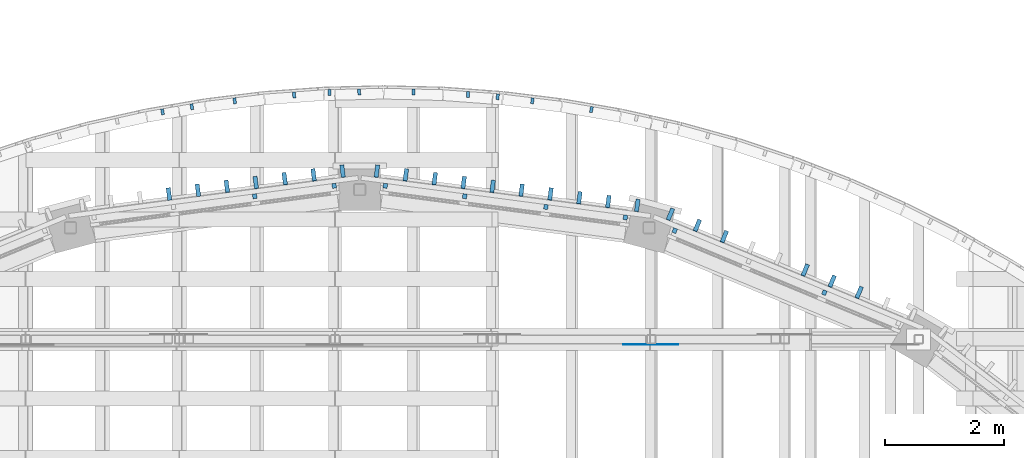
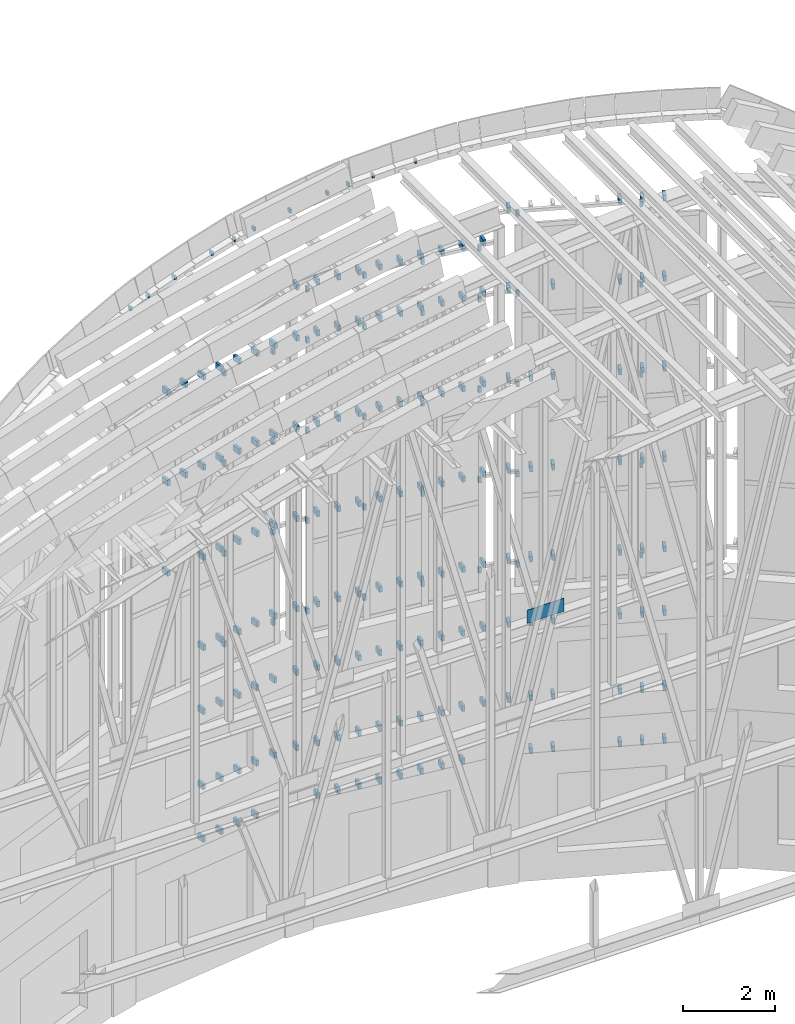
# One storey, part 80 of 105: 211 discrete accessories.
"""IFC4 building model written with IfcOpenShell, lengths in metres."""

import ifcopenshell
import ifcopenshell.guid

model = None  # the IFC model being written
_history = None  # IfcOwnerHistory: only IFC2X3 demands one
_inside = {}  # id of a spatial element -> (the spatial element, [elements in it])
_under = {}  # id of a project, library or spatial element -> (it, [spatial elements below it])
_declared = {}  # id of a project -> (the project, [libraries it declares])
_typed = {}  # id of a type object -> (the type object, [elements of that type])
_made_of = {}  # id of a material, layer set ... -> (it, [elements and type objects made of it])


def new_model(schema):
    """Start an empty IFC model of exactly this schema.

    Asked for "IFC4X3", IfcOpenShell would pick the latest addendum, in which some entities
    have other attributes; the version numbers below select the first issue.
    IFC2X3 requires an IfcOwnerHistory on every rooted entity: one is made here for all.
    """
    global model, _history
    if schema == "IFC4X3":
        model = ifcopenshell.file(schema_version=(4, 3, 0, 0))
    else:
        model = ifcopenshell.file(schema=schema)
    _inside.clear()
    _under.clear()
    _declared.clear()
    _typed.clear()
    _made_of.clear()
    _history = None
    if model.schema == "IFC2X3":
        org = make("IfcOrganization", Name="unknown")
        user = make(
            "IfcPersonAndOrganization",
            ThePerson=make("IfcPerson", FamilyName="unknown"),
            TheOrganization=org,
        )
        app = make(
            "IfcApplication",
            ApplicationDeveloper=org,
            Version="unknown",
            ApplicationFullName="unknown",
            ApplicationIdentifier="unknown",
        )
        _history = make(
            "IfcOwnerHistory",
            OwningUser=user,
            OwningApplication=app,
            ChangeAction="ADDED",
            CreationDate=0,
        )
    return model


def make(cls, **values):
    """One entity of the class cls with the attributes given. An attribute that is None is left unset."""
    return model.create_entity(
        cls, **{name: value for name, value in values.items() if value is not None}
    )


def rooted(cls, **values):
    """An entity with a GlobalId (a new one), such as an element, a storey or a relation."""
    return make(cls, GlobalId=ifcopenshell.guid.new(), OwnerHistory=_history, **values)


def si_unit(unit_type, name, prefix=None):
    """IfcSIUnit, for example si_unit("LENGTHUNIT", "METRE", prefix="MILLI")."""
    return make("IfcSIUnit", UnitType=unit_type, Prefix=prefix, Name=name)


def assignment(units):
    """IfcUnitAssignment: the units of a project."""
    return None if units is None else make("IfcUnitAssignment", Units=units)


def point(xyz):
    """IfcCartesianPoint."""
    return None if xyz is None else make("IfcCartesianPoint", Coordinates=xyz)


def direction(xyz):
    """IfcDirection."""
    return None if xyz is None else make("IfcDirection", DirectionRatios=xyz)


def frame(location, z_axis=None, x_axis=None):
    """IfcAxis2Placement3D, a coordinate frame: its origin and axes. An axis left out is left unset."""
    return make(
        "IfcAxis2Placement3D",
        Location=point(location),
        Axis=direction(z_axis),
        RefDirection=direction(x_axis),
    )


def frame_2d(location, x_axis=None):
    """IfcAxis2Placement2D, a coordinate frame in the plane: its origin and x axis."""
    return make(
        "IfcAxis2Placement2D", Location=point(location), RefDirection=direction(x_axis)
    )


def origin():
    """The frame at (0, 0, 0) with its axes left unset."""
    return frame((0.0, 0.0, 0.0))


def origin_2d():
    """The frame at (0, 0) in the plane with its x axis left unset."""
    return frame_2d((0.0, 0.0))


def place(relative_to, where):
    """IfcLocalPlacement: puts the frame where relative to a parent placement (None: the world)."""
    return make(
        "IfcLocalPlacement", PlacementRelTo=relative_to, RelativePlacement=where
    )


def context(
    kind, dimensions, precision=None, world=None, true_north=None, identifier=None
):
    """IfcGeometricRepresentationContext, for example the 3D "Model" context."""
    return make(
        "IfcGeometricRepresentationContext",
        ContextIdentifier=identifier,
        ContextType=kind,
        CoordinateSpaceDimension=dimensions,
        Precision=precision,
        WorldCoordinateSystem=world,
        TrueNorth=true_north,
    )


def subcontext(parent, identifier, kind, view, scale=None):
    """IfcGeometricRepresentationSubContext, for example "Body" below "Model"."""
    return make(
        "IfcGeometricRepresentationSubContext",
        ContextIdentifier=identifier,
        ContextType=kind,
        ParentContext=parent,
        TargetScale=scale,
        TargetView=view,
    )


def project(units=None, contexts=None):
    """IfcProject with its units and contexts."""
    return rooted(
        "IfcProject",
        Name="project",
        RepresentationContexts=contexts,
        UnitsInContext=assignment(units),
    )


def spatial(cls, under=None, at=None, **own):
    """A site, building, storey or space (cls), placed at a placement, below another one or the project."""
    s = rooted(cls, ObjectPlacement=at, **own)
    if under is not None:
        _under.setdefault(under.id(), (under, []))[1].append(s)
    return s


def polyline(points):
    """IfcPolyline through the points."""
    return make("IfcPolyline", Points=[point(p) for p in points])


def profile(cls, at=None, kind="AREA", **sizes):
    """A parametric profile (cls). Its sizes go by their IFC names, for example OverallWidth=200.0."""
    return make(cls, ProfileType=kind, Position=at, **sizes)


def rectangle(**sizes):
    """IfcRectangleProfileDef."""
    return profile("IfcRectangleProfileDef", **sizes)


def outline(outer, holes=None, kind="AREA"):
    """IfcArbitraryClosedProfileDef: a profile drawn as a closed curve; with holes, ...WithVoids."""
    if holes is None:
        return make("IfcArbitraryClosedProfileDef", ProfileType=kind, OuterCurve=outer)
    return make(
        "IfcArbitraryProfileDefWithVoids",
        ProfileType=kind,
        OuterCurve=outer,
        InnerCurves=holes,
    )


def extrude(swept, where, along, depth):
    """IfcExtrudedAreaSolid: the profile swept, set in the frame where, extruded along a direction by depth."""
    return make(
        "IfcExtrudedAreaSolid",
        SweptArea=swept,
        Position=where,
        ExtrudedDirection=direction(along),
        Depth=depth,
    )


def shape(context_of_items, identifier, shape_type, items):
    """IfcShapeRepresentation: the items that make up one representation, for example the "Body"."""
    return make(
        "IfcShapeRepresentation",
        ContextOfItems=context_of_items,
        RepresentationIdentifier=identifier,
        RepresentationType=shape_type,
        Items=items,
    )


def material(Name=None, Category=None):
    """IfcMaterial."""
    return make("IfcMaterial", Name=Name, Category=Category)


def made_of(thing, what):
    """Note that an element or type object is made of a material, layer set ...; save() writes the relation."""
    if what is not None:
        _made_of.setdefault(what.id(), (what, []))[1].append(thing)
    return thing


def type_object(cls, material=None, **own):
    """A type object (cls), such as IfcWallType, which elements share."""
    return made_of(rooted(cls, **own), material)


def element(
    cls,
    number,
    at=None,
    inside=None,
    cuts=None,
    type_object=None,
    material=None,
    context=None,
    identifier="Body",
    shape_type=None,
    held_by="IfcProductDefinitionShape",
    body=None,
    shapes=None,
    **own,
):
    """One element of the class cls, such as IfcWall. Its Tag is "e" and its number.

    at: its placement. inside: the storey or other place that contains it. cuts: it is an
    opening in that element (IfcRelVoidsElement). A single representation is given by context,
    identifier, shape_type and body (its items); several are given by shapes. held_by: the class
    of the entity that holds the representations. save() writes the other relations.
    """
    e = rooted(cls, Tag="e%d" % number, ObjectPlacement=at, **own)
    if body is not None:
        shapes = [shape(context, identifier, shape_type, body)]
    if shapes is not None:
        e.Representation = make(held_by, Representations=shapes)
    if inside is not None:
        _inside.setdefault(inside.id(), (inside, []))[1].append(e)
    if cuts is not None:
        rooted(
            "IfcRelVoidsElement", RelatingBuildingElement=cuts, RelatedOpeningElement=e
        )
    if type_object is not None:
        _typed.setdefault(type_object.id(), (type_object, []))[1].append(e)
    return made_of(e, material)


def aggregate(whole, parts):
    """IfcRelAggregates: a whole, such as a stair, and the parts it consists of."""
    return rooted("IfcRelAggregates", RelatingObject=whole, RelatedObjects=parts)


def save(model, path):
    """Write the relations noted so far, then the file.

    IfcRelAggregates (storeys below a building ...), IfcRelContainedInSpatialStructure (elements
    in a storey), IfcRelDefinesByType, IfcRelAssociatesMaterial and IfcRelDeclares: one each for
    every whole, place, type object, material and project.
    """
    for whole, parts in _under.values():
        aggregate(whole, parts)
    for where, things in _inside.values():
        rooted(
            "IfcRelContainedInSpatialStructure",
            RelatedElements=things,
            RelatingStructure=where,
        )
    for kind, things in _typed.values():
        rooted("IfcRelDefinesByType", RelatedObjects=things, RelatingType=kind)
    for what, things in _made_of.values():
        rooted("IfcRelAssociatesMaterial", RelatedObjects=things, RelatingMaterial=what)
    for by, libraries in _declared.values():
        rooted("IfcRelDeclares", RelatingContext=by, RelatedDefinitions=libraries)
    model.write(path)


model = new_model("IFC4")

# Units and contexts
model_context = context("Model", 3, precision=1e-05, world=origin(), true_north=direction((0.0, 1.0)))
body_context = subcontext(model_context, "Body", "Model", "MODEL_VIEW")
ifc_project = project(units=[si_unit("LENGTHUNIT", "METRE"), si_unit("AREAUNIT", "SQUARE_METRE"), si_unit("VOLUMEUNIT", "CUBIC_METRE"), si_unit("PLANEANGLEUNIT", "RADIAN"), si_unit("MASSUNIT", "GRAM", prefix="KILO")], contexts=[model_context])

# Site, building, storey
site_placement = place(None, origin())
site = spatial("IfcSite", under=ifc_project, at=site_placement, CompositionType="ELEMENT")
building_placement = place(site_placement, origin())
building = spatial("IfcBuilding", under=site, at=building_placement, Name="Wasatch Bagh Community Centre", CompositionType="ELEMENT")
storey_placement = place(building_placement, frame((0.0, 0.0, 16.800048828125)))
storey = spatial("IfcBuildingStorey", under=building, at=storey_placement, Name="L04", CompositionType="ELEMENT", Elevation=16.800048828125)

# Discrete accessories
ifc_material = material(Name="ASTM A36 steel", Category="steel")
discrete_accessory_type_1 = type_object("IfcDiscreteAccessoryType", Name="MH fascia bracket", PredefinedType="BRACKET", material=ifc_material)
for number, where, z_axis, x_axis, name in (
    (1, (32.692626953125, 85.055419921875, 16.745849609375), (0.0, 0.0, 1.0), (-0.17096188876, 0.985277642389, 0.0), "Fascia bracket 118"),
    (2, (33.1845703125, 85.140625, 16.870849609375), (0.0, 0.0, 1.0), (-0.17096188876, 0.985277642389, 0.0), "Fascia bracket 119"),
    (3, (33.903564453125, 85.240478515625, 17.04052734375), (0.0, 0.0, 1.0), (-0.122410675199, 0.992479534599, 0.0), "Fascia bracket 120"),
    (4, (34.899658203125, 85.338623046875, 17.275634765625), (0.0, 0.0, 1.0), (-0.0735645636, 0.997290456679, 0.0), "Fascia bracket 121"),
    (5, (35.4921875, 85.377685546875, 17.415283203125), (0.0, 0.0, 1.0), (-0.024541228523, 0.999698818696, 0.0), "Fascia bracket 122"),
    (6, (35.991455078125, 85.389892578125, 17.50634765625), (0.0, 0.0, 1.0), (-0.024541228523, 0.999698818696, 0.0), "Fascia bracket 123"),
    (7, (36.900390625, 85.3876953125, 17.672119140625), (0.0, 0.0, 1.0), (0.024541228523, 0.999698818696, 0.0), "Fascia bracket 124"),
    (8, (37.816162109375, 85.3447265625, 17.8388671875), (0.0, 0.0, 1.0), (0.0735645636, 0.997290456679, 0.0), "Fascia bracket 125"),
    (9, (38.314208984375, 85.30810546875, 17.921875), (0.0, 0.0, 1.0), (0.0735645636, 0.997290456679, 0.0), "Fascia bracket 126"),
    (10, (38.896484375, 85.240478515625, 17.9970703125), (0.0, 0.0, 1.0), (0.122410675199, 0.992479534599, 0.0), "Fascia bracket 127"),
    (11, (39.886474609375, 85.093505859375, 18.125244140625), (0.0, 0.0, 1.0), (0.17096188876, 0.985277642389, 0.0), "Fascia bracket 128"),
):
    element("IfcDiscreteAccessory", number, at=place(storey_placement, frame(where, z_axis=z_axis, x_axis=x_axis)), inside=storey, type_object=discrete_accessory_type_1, Name=name, PredefinedType="BRACKET", context=body_context, shape_type="SweptSolid", body=[
        extrude(rectangle(XDim=0.10009765625, YDim=0.050048828125, at=origin_2d()), origin(), (0.0, 0.0, 1.0), 0.10009765625),
    ])
discrete_accessory_type_2 = type_object("IfcDiscreteAccessoryType", Name="MH fin bracket", PredefinedType="BRACKET", material=ifc_material)
for number, where, z_axis, x_axis, name in (
    (12, (44.37841796875, 82.029541015625, 3.02490234375), (0.0, 0.0, 1.0), (-0.923879532511, 0.382683432365, 0.0), "Fin bracket 23.3.4"),
    (13, (44.37841796875, 82.029541015625, 4.425048828125), (0.0, 0.0, 1.0), (-0.923879532511, 0.382683432365, 0.0), "Fin bracket 23.3.5"),
    (14, (44.37841796875, 82.029541015625, 6.425048828125), (0.0, 0.0, 1.0), (-0.923879532511, 0.382683432365, 0.0), "Fin bracket 23.3.6"),
    (15, (43.92626953125, 82.217041015625, 3.02490234375), (0.0, 0.0, 1.0), (-0.923879532511, 0.382683432365, 0.0), "Fin bracket 23.4.4"),
    (16, (43.92626953125, 82.217041015625, 4.425048828125), (0.0, 0.0, 1.0), (-0.923879532511, 0.382683432365, 0.0), "Fin bracket 23.4.5"),
    (17, (43.92626953125, 82.217041015625, 6.425048828125), (0.0, 0.0, 1.0), (-0.923879532511, 0.382683432365, 0.0), "Fin bracket 23.4.6"),
    (18, (43.473876953125, 82.404296875, 3.02490234375), (0.0, 0.0, 1.0), (-0.923879532511, 0.382683432365, 0.0), "Fin bracket 23.5.4"),
    (19, (43.473876953125, 82.404296875, 4.425048828125), (0.0, 0.0, 1.0), (-0.923879532511, 0.382683432365, 0.0), "Fin bracket 23.5.5"),
    (20, (43.473876953125, 82.404296875, 6.425048828125), (0.0, 0.0, 1.0), (-0.923879532511, 0.382683432365, 0.0), "Fin bracket 23.5.6"),
    (21, (42.117431640625, 82.966064453125, 3.02490234375), (0.0, 0.0, 1.0), (-0.923879532511, 0.382683432365, 0.0), "Fin bracket 23.8.4"),
    (22, (42.117431640625, 82.966064453125, 4.425048828125), (0.0, 0.0, 1.0), (-0.923879532511, 0.382683432365, 0.0), "Fin bracket 23.8.5"),
    (23, (42.117431640625, 82.966064453125, 6.425048828125), (0.0, 0.0, 1.0), (-0.923879532511, 0.382683432365, 0.0), "Fin bracket 23.8.6"),
    (24, (41.6650390625, 83.153564453125, 3.02490234375), (0.0, 0.0, 1.0), (-0.923879532511, 0.382683432365, 0.0), "Fin bracket 23.9.4"),
    (25, (41.6650390625, 83.153564453125, 4.425048828125), (0.0, 0.0, 1.0), (-0.923879532511, 0.382683432365, 0.0), "Fin bracket 23.9.5"),
    (26, (41.6650390625, 83.153564453125, 6.425048828125), (0.0, 0.0, 1.0), (-0.923879532511, 0.382683432365, 0.0), "Fin bracket 23.9.6"),
    (27, (41.212890625, 83.3408203125, 4.425048828125), (0.0, 0.0, 1.0), (-0.923879532511, 0.382683432365, 0.0), "Fin bracket 23.10.5"),
    (28, (41.212890625, 83.3408203125, 6.425048828125), (0.0, 0.0, 1.0), (-0.923879532511, 0.382683432365, 0.0), "Fin bracket 23.10.6"),
    (29, (40.656005859375, 83.489990234375, 4.425048828125), (0.0, 0.0, 1.0), (-0.991444861374, 0.13052619222, 0.0), "Fin bracket 24.1.5"),
    (30, (40.656005859375, 83.489990234375, 6.425048828125), (0.0, 0.0, 1.0), (-0.991444861374, 0.13052619222, 0.0), "Fin bracket 24.1.6"),
    (31, (40.170654296875, 83.553955078125, 3.02490234375), (0.0, 0.0, 1.0), (-0.991444861374, 0.13052619222, 0.0), "Fin bracket 24.2.4"),
    (32, (40.170654296875, 83.553955078125, 4.425048828125), (0.0, 0.0, 1.0), (-0.991444861374, 0.13052619222, 0.0), "Fin bracket 24.2.5"),
    (33, (40.170654296875, 83.553955078125, 6.425048828125), (0.0, 0.0, 1.0), (-0.991444861374, 0.13052619222, 0.0), "Fin bracket 24.2.6"),
    (34, (39.685302734375, 83.617919921875, 3.02490234375), (0.0, 0.0, 1.0), (-0.991444861374, 0.13052619222, 0.0), "Fin bracket 24.3.4"),
    (35, (39.685302734375, 83.617919921875, 4.425048828125), (0.0, 0.0, 1.0), (-0.991444861374, 0.13052619222, 0.0), "Fin bracket 24.3.5"),
    (36, (39.685302734375, 83.617919921875, 6.425048828125), (0.0, 0.0, 1.0), (-0.991444861374, 0.13052619222, 0.0), "Fin bracket 24.3.6"),
    (37, (39.199951171875, 83.681640625, 3.02490234375), (0.0, 0.0, 1.0), (-0.991444861374, 0.13052619222, 0.0), "Fin bracket 24.4.4"),
    (38, (39.199951171875, 83.681640625, 4.425048828125), (0.0, 0.0, 1.0), (-0.991444861374, 0.13052619222, 0.0), "Fin bracket 24.4.5"),
    (39, (39.199951171875, 83.681640625, 6.425048828125), (0.0, 0.0, 1.0), (-0.991444861374, 0.13052619222, 0.0), "Fin bracket 24.4.6"),
    (40, (38.71484375, 83.74560546875, 3.02490234375), (0.0, 0.0, 1.0), (-0.991444861374, 0.13052619222, 0.0), "Fin bracket 24.5.4"),
    (41, (38.71484375, 83.74560546875, 4.425048828125), (0.0, 0.0, 1.0), (-0.991444861374, 0.13052619222, 0.0), "Fin bracket 24.5.5"),
    (42, (38.71484375, 83.74560546875, 6.425048828125), (0.0, 0.0, 1.0), (-0.991444861374, 0.13052619222, 0.0), "Fin bracket 24.5.6"),
    (43, (38.2294921875, 83.8095703125, 3.02490234375), (0.0, 0.0, 1.0), (-0.991444861374, 0.13052619222, 0.0), "Fin bracket 24.6.4"),
    (44, (38.2294921875, 83.8095703125, 4.425048828125), (0.0, 0.0, 1.0), (-0.991444861374, 0.13052619222, 0.0), "Fin bracket 24.6.5"),
    (45, (38.2294921875, 83.8095703125, 6.425048828125), (0.0, 0.0, 1.0), (-0.991444861374, 0.13052619222, 0.0), "Fin bracket 24.6.6"),
    (46, (37.744140625, 83.873291015625, 3.02490234375), (0.0, 0.0, 1.0), (-0.991444861374, 0.13052619222, 0.0), "Fin bracket 24.7.4"),
    (47, (37.744140625, 83.873291015625, 4.425048828125), (0.0, 0.0, 1.0), (-0.991444861374, 0.13052619222, 0.0), "Fin bracket 24.7.5"),
    (48, (37.744140625, 83.873291015625, 6.425048828125), (0.0, 0.0, 1.0), (-0.991444861374, 0.13052619222, 0.0), "Fin bracket 24.7.6"),
    (49, (37.2587890625, 83.937255859375, 3.02490234375), (0.0, 0.0, 1.0), (-0.991444861374, 0.13052619222, 0.0), "Fin bracket 24.8.4"),
    (50, (37.2587890625, 83.937255859375, 4.425048828125), (0.0, 0.0, 1.0), (-0.991444861374, 0.13052619222, 0.0), "Fin bracket 24.8.5"),
    (51, (37.2587890625, 83.937255859375, 6.425048828125), (0.0, 0.0, 1.0), (-0.991444861374, 0.13052619222, 0.0), "Fin bracket 24.8.6"),
    (52, (36.773681640625, 84.001220703125, 3.02490234375), (0.0, 0.0, 1.0), (-0.991444861374, 0.13052619222, 0.0), "Fin bracket 24.9.4"),
    (53, (36.773681640625, 84.001220703125, 4.425048828125), (0.0, 0.0, 1.0), (-0.991444861374, 0.13052619222, 0.0), "Fin bracket 24.9.5"),
    (54, (36.773681640625, 84.001220703125, 6.425048828125), (0.0, 0.0, 1.0), (-0.991444861374, 0.13052619222, 0.0), "Fin bracket 24.9.6"),
    (55, (36.288330078125, 84.06494140625, 4.425048828125), (0.0, 0.0, 1.0), (-0.991444861374, 0.13052619222, 0.0), "Fin bracket 24.10.5"),
    (56, (36.288330078125, 84.06494140625, 6.425048828125), (0.0, 0.0, 1.0), (-0.991444861374, 0.13052619222, 0.0), "Fin bracket 24.10.6"),
    (57, (35.711669921875, 84.06494140625, 4.425048828125), (0.0, 0.0, 1.0), (-0.991444861374, -0.13052619222, 0.0), "Fin bracket 25.1.5"),
    (58, (35.711669921875, 84.06494140625, 6.425048828125), (0.0, 0.0, 1.0), (-0.991444861374, -0.13052619222, 0.0), "Fin bracket 25.1.6"),
    (59, (35.226318359375, 84.001220703125, 3.02490234375), (0.0, 0.0, 1.0), (-0.991444861374, -0.13052619222, 0.0), "Fin bracket 25.2.4"),
    (60, (35.226318359375, 84.001220703125, 4.425048828125), (0.0, 0.0, 1.0), (-0.991444861374, -0.13052619222, 0.0), "Fin bracket 25.2.5"),
    (61, (35.226318359375, 84.001220703125, 6.425048828125), (0.0, 0.0, 1.0), (-0.991444861374, -0.13052619222, 0.0), "Fin bracket 25.2.6"),
    (62, (34.7412109375, 83.937255859375, 3.02490234375), (0.0, 0.0, 1.0), (-0.991444861374, -0.13052619222, 0.0), "Fin bracket 25.3.4"),
    (63, (34.7412109375, 83.937255859375, 4.425048828125), (0.0, 0.0, 1.0), (-0.991444861374, -0.13052619222, 0.0), "Fin bracket 25.3.5"),
    (64, (34.7412109375, 83.937255859375, 6.425048828125), (0.0, 0.0, 1.0), (-0.991444861374, -0.13052619222, 0.0), "Fin bracket 25.3.6"),
    (65, (34.255859375, 83.873291015625, 3.02490234375), (0.0, 0.0, 1.0), (-0.991444861374, -0.13052619222, 0.0), "Fin bracket 25.4.4"),
    (66, (34.255859375, 83.873291015625, 4.425048828125), (0.0, 0.0, 1.0), (-0.991444861374, -0.13052619222, 0.0), "Fin bracket 25.4.5"),
    (67, (34.255859375, 83.873291015625, 6.425048828125), (0.0, 0.0, 1.0), (-0.991444861374, -0.13052619222, 0.0), "Fin bracket 25.4.6"),
    (68, (33.7705078125, 83.8095703125, 3.02490234375), (0.0, 0.0, 1.0), (-0.991444861374, -0.13052619222, 0.0), "Fin bracket 25.5.4"),
    (69, (33.7705078125, 83.8095703125, 4.425048828125), (0.0, 0.0, 1.0), (-0.991444861374, -0.13052619222, 0.0), "Fin bracket 25.5.5"),
    (70, (33.7705078125, 83.8095703125, 6.425048828125), (0.0, 0.0, 1.0), (-0.991444861374, -0.13052619222, 0.0), "Fin bracket 25.5.6"),
):
    element("IfcDiscreteAccessory", number, at=place(storey_placement, frame(where, z_axis=z_axis, x_axis=x_axis)), inside=storey, type_object=discrete_accessory_type_2, Name=name, PredefinedType="BRACKET", context=body_context, shape_type="SweptSolid", body=[
        extrude(rectangle(XDim=0.070068359375, YDim=0.199951171875, at=origin_2d()), origin(), (0.0, 0.0, 1.0), 0.14990234375),
    ])
discrete_accessory_type_3 = type_object("IfcDiscreteAccessoryType", Name="MH fin bracket (rail)", PredefinedType="BRACKET", material=ifc_material)
for number, where, z_axis, x_axis, name in (
    (71, (44.37646484375, 82.02490234375, 8.125), (0.0, 0.0, 1.0), (-0.923879532511, 0.382683432365, 0.0), "Fin bracket 23.3.r1"),
    (72, (43.92431640625, 82.21240234375, 8.125), (0.0, 0.0, 1.0), (-0.923879532511, 0.382683432365, 0.0), "Fin bracket 23.4.r1"),
    (73, (43.47216796875, 82.399658203125, 8.125), (0.0, 0.0, 1.0), (-0.923879532511, 0.382683432365, 0.0), "Fin bracket 23.5.r1"),
    (74, (42.115478515625, 82.961669921875, 8.125), (0.0, 0.0, 1.0), (-0.923879532511, 0.382683432365, 0.0), "Fin bracket 23.8.r1"),
    (75, (41.6630859375, 83.14892578125, 8.125), (0.0, 0.0, 1.0), (-0.923879532511, 0.382683432365, 0.0), "Fin bracket 23.9.r1"),
    (76, (41.2109375, 83.336181640625, 8.125), (0.0, 0.0, 1.0), (-0.923879532511, 0.382683432365, 0.0), "Fin bracket 23.10.r1"),
    (77, (44.37646484375, 82.02490234375, 10.52490234375), (0.0, 0.0, 1.0), (-0.923879532511, 0.382683432365, 0.0), "Fin bracket 23.3.r2"),
    (78, (43.92431640625, 82.21240234375, 10.52490234375), (0.0, 0.0, 1.0), (-0.923879532511, 0.382683432365, 0.0), "Fin bracket 23.4.r2"),
    (79, (43.47216796875, 82.399658203125, 10.52490234375), (0.0, 0.0, 1.0), (-0.923879532511, 0.382683432365, 0.0), "Fin bracket 23.5.r2"),
    (80, (42.115478515625, 82.961669921875, 10.52490234375), (0.0, 0.0, 1.0), (-0.923879532511, 0.382683432365, 0.0), "Fin bracket 23.8.r2"),
    (81, (41.6630859375, 83.14892578125, 10.52490234375), (0.0, 0.0, 1.0), (-0.923879532511, 0.382683432365, 0.0), "Fin bracket 23.9.r2"),
    (82, (41.2109375, 83.336181640625, 10.52490234375), (0.0, 0.0, 1.0), (-0.923879532511, 0.382683432365, 0.0), "Fin bracket 23.10.r2"),
    (83, (44.37646484375, 82.02490234375, 12.925048828125), (0.0, 0.0, 1.0), (-0.923879532511, 0.382683432365, 0.0), "Fin bracket 23.3.r3"),
    (84, (43.92431640625, 82.21240234375, 12.925048828125), (0.0, 0.0, 1.0), (-0.923879532511, 0.382683432365, 0.0), "Fin bracket 23.4.r3"),
    (85, (43.47216796875, 82.399658203125, 12.925048828125), (0.0, 0.0, 1.0), (-0.923879532511, 0.382683432365, 0.0), "Fin bracket 23.5.r3"),
    (86, (42.115478515625, 82.961669921875, 12.925048828125), (0.0, 0.0, 1.0), (-0.923879532511, 0.382683432365, 0.0), "Fin bracket 23.8.r3"),
    (87, (41.6630859375, 83.14892578125, 12.925048828125), (0.0, 0.0, 1.0), (-0.923879532511, 0.382683432365, 0.0), "Fin bracket 23.9.r3"),
    (88, (41.2109375, 83.336181640625, 12.925048828125), (0.0, 0.0, 1.0), (-0.923879532511, 0.382683432365, 0.0), "Fin bracket 23.10.r3"),
    (89, (44.37646484375, 82.02490234375, 15.324951171875), (0.0, 0.0, 1.0), (-0.923879532511, 0.382683432365, 0.0), "Fin bracket 23.3.r4"),
    (90, (43.92431640625, 82.21240234375, 15.324951171875), (0.0, 0.0, 1.0), (-0.923879532511, 0.382683432365, 0.0), "Fin bracket 23.4.r4"),
    (91, (43.47216796875, 82.399658203125, 15.324951171875), (0.0, 0.0, 1.0), (-0.923879532511, 0.382683432365, 0.0), "Fin bracket 23.5.r4"),
    (92, (42.115478515625, 82.961669921875, 15.324951171875), (0.0, 0.0, 1.0), (-0.923879532511, 0.382683432365, 0.0), "Fin bracket 23.8.r4"),
    (93, (41.2109375, 83.336181640625, 15.324951171875), (0.0, 0.0, 1.0), (-0.923879532511, 0.382683432365, 0.0), "Fin bracket 23.10.r4"),
    (94, (44.37646484375, 82.02490234375, 17.455078125), (0.0, 0.0, 1.0), (-0.923879532511, 0.382683432365, 0.0), "Fin bracket 23.3.r5"),
    (95, (43.92431640625, 82.21240234375, 17.455078125), (0.0, 0.0, 1.0), (-0.923879532511, 0.382683432365, 0.0), "Fin bracket 23.4.r5"),
    (96, (43.47216796875, 82.399658203125, 17.455078125), (0.0, 0.0, 1.0), (-0.923879532511, 0.382683432365, 0.0), "Fin bracket 23.5.r5"),
    (97, (41.2109375, 83.336181640625, 17.455078125), (0.0, 0.0, 1.0), (-0.923879532511, 0.382683432365, 0.0), "Fin bracket 23.10.r5"),
    (98, (40.6552734375, 83.485107421875, 8.125), (0.0, 0.0, 1.0), (-0.991444861374, 0.13052619222, 0.0), "Fin bracket 24.1.r1"),
    (99, (40.169921875, 83.549072265625, 8.125), (0.0, 0.0, 1.0), (-0.991444861374, 0.13052619222, 0.0), "Fin bracket 24.2.r1"),
    (100, (39.6845703125, 83.61279296875, 8.125), (0.0, 0.0, 1.0), (-0.991444861374, 0.13052619222, 0.0), "Fin bracket 24.3.r1"),
    (101, (39.199462890625, 83.6767578125, 8.125), (0.0, 0.0, 1.0), (-0.991444861374, 0.13052619222, 0.0), "Fin bracket 24.4.r1"),
    (102, (38.714111328125, 83.74072265625, 8.125), (0.0, 0.0, 1.0), (-0.991444861374, 0.13052619222, 0.0), "Fin bracket 24.5.r1"),
    (103, (38.228759765625, 83.804443359375, 8.125), (0.0, 0.0, 1.0), (-0.991444861374, 0.13052619222, 0.0), "Fin bracket 24.6.r1"),
    (104, (37.74365234375, 83.868408203125, 8.125), (0.0, 0.0, 1.0), (-0.991444861374, 0.13052619222, 0.0), "Fin bracket 24.7.r1"),
    (105, (37.25830078125, 83.932373046875, 8.125), (0.0, 0.0, 1.0), (-0.991444861374, 0.13052619222, 0.0), "Fin bracket 24.8.r1"),
    (106, (36.77294921875, 83.99609375, 8.125), (0.0, 0.0, 1.0), (-0.991444861374, 0.13052619222, 0.0), "Fin bracket 24.9.r1"),
    (107, (36.28759765625, 84.06005859375, 8.125), (0.0, 0.0, 1.0), (-0.991444861374, 0.13052619222, 0.0), "Fin bracket 24.10.r1"),
    (108, (40.6552734375, 83.485107421875, 10.52490234375), (0.0, 0.0, 1.0), (-0.991444861374, 0.13052619222, 0.0), "Fin bracket 24.1.r2"),
    (109, (40.169921875, 83.549072265625, 10.52490234375), (0.0, 0.0, 1.0), (-0.991444861374, 0.13052619222, 0.0), "Fin bracket 24.2.r2"),
    (110, (39.6845703125, 83.61279296875, 10.52490234375), (0.0, 0.0, 1.0), (-0.991444861374, 0.13052619222, 0.0), "Fin bracket 24.3.r2"),
    (111, (39.199462890625, 83.6767578125, 10.52490234375), (0.0, 0.0, 1.0), (-0.991444861374, 0.13052619222, 0.0), "Fin bracket 24.4.r2"),
    (112, (38.714111328125, 83.74072265625, 10.52490234375), (0.0, 0.0, 1.0), (-0.991444861374, 0.13052619222, 0.0), "Fin bracket 24.5.r2"),
    (113, (38.228759765625, 83.804443359375, 10.52490234375), (0.0, 0.0, 1.0), (-0.991444861374, 0.13052619222, 0.0), "Fin bracket 24.6.r2"),
    (114, (37.74365234375, 83.868408203125, 10.52490234375), (0.0, 0.0, 1.0), (-0.991444861374, 0.13052619222, 0.0), "Fin bracket 24.7.r2"),
    (115, (37.25830078125, 83.932373046875, 10.52490234375), (0.0, 0.0, 1.0), (-0.991444861374, 0.13052619222, 0.0), "Fin bracket 24.8.r2"),
    (116, (36.77294921875, 83.99609375, 10.52490234375), (0.0, 0.0, 1.0), (-0.991444861374, 0.13052619222, 0.0), "Fin bracket 24.9.r2"),
    (117, (36.28759765625, 84.06005859375, 10.52490234375), (0.0, 0.0, 1.0), (-0.991444861374, 0.13052619222, 0.0), "Fin bracket 24.10.r2"),
    (118, (40.6552734375, 83.485107421875, 12.925048828125), (0.0, 0.0, 1.0), (-0.991444861374, 0.13052619222, 0.0), "Fin bracket 24.1.r3"),
    (119, (40.169921875, 83.549072265625, 12.925048828125), (0.0, 0.0, 1.0), (-0.991444861374, 0.13052619222, 0.0), "Fin bracket 24.2.r3"),
    (120, (39.6845703125, 83.61279296875, 12.925048828125), (0.0, 0.0, 1.0), (-0.991444861374, 0.13052619222, 0.0), "Fin bracket 24.3.r3"),
    (121, (39.199462890625, 83.6767578125, 12.925048828125), (0.0, 0.0, 1.0), (-0.991444861374, 0.13052619222, 0.0), "Fin bracket 24.4.r3"),
    (122, (38.714111328125, 83.74072265625, 12.925048828125), (0.0, 0.0, 1.0), (-0.991444861374, 0.13052619222, 0.0), "Fin bracket 24.5.r3"),
    (123, (38.228759765625, 83.804443359375, 12.925048828125), (0.0, 0.0, 1.0), (-0.991444861374, 0.13052619222, 0.0), "Fin bracket 24.6.r3"),
    (124, (37.74365234375, 83.868408203125, 12.925048828125), (0.0, 0.0, 1.0), (-0.991444861374, 0.13052619222, 0.0), "Fin bracket 24.7.r3"),
    (125, (37.25830078125, 83.932373046875, 12.925048828125), (0.0, 0.0, 1.0), (-0.991444861374, 0.13052619222, 0.0), "Fin bracket 24.8.r3"),
    (126, (36.77294921875, 83.99609375, 12.925048828125), (0.0, 0.0, 1.0), (-0.991444861374, 0.13052619222, 0.0), "Fin bracket 24.9.r3"),
    (127, (36.28759765625, 84.06005859375, 12.925048828125), (0.0, 0.0, 1.0), (-0.991444861374, 0.13052619222, 0.0), "Fin bracket 24.10.r3"),
    (128, (40.6552734375, 83.485107421875, 15.324951171875), (0.0, 0.0, 1.0), (-0.991444861374, 0.13052619222, 0.0), "Fin bracket 24.1.r4"),
    (129, (40.169921875, 83.549072265625, 15.324951171875), (0.0, 0.0, 1.0), (-0.991444861374, 0.13052619222, 0.0), "Fin bracket 24.2.r4"),
    (130, (39.6845703125, 83.61279296875, 15.324951171875), (0.0, 0.0, 1.0), (-0.991444861374, 0.13052619222, 0.0), "Fin bracket 24.3.r4"),
    (131, (39.199462890625, 83.6767578125, 15.324951171875), (0.0, 0.0, 1.0), (-0.991444861374, 0.13052619222, 0.0), "Fin bracket 24.4.r4"),
    (132, (38.714111328125, 83.74072265625, 15.324951171875), (0.0, 0.0, 1.0), (-0.991444861374, 0.13052619222, 0.0), "Fin bracket 24.5.r4"),
    (133, (38.228759765625, 83.804443359375, 15.324951171875), (0.0, 0.0, 1.0), (-0.991444861374, 0.13052619222, 0.0), "Fin bracket 24.6.r4"),
    (134, (37.74365234375, 83.868408203125, 15.324951171875), (0.0, 0.0, 1.0), (-0.991444861374, 0.13052619222, 0.0), "Fin bracket 24.7.r4"),
    (135, (37.25830078125, 83.932373046875, 15.324951171875), (0.0, 0.0, 1.0), (-0.991444861374, 0.13052619222, 0.0), "Fin bracket 24.8.r4"),
    (136, (36.77294921875, 83.99609375, 15.324951171875), (0.0, 0.0, 1.0), (-0.991444861374, 0.13052619222, 0.0), "Fin bracket 24.9.r4"),
    (137, (36.28759765625, 84.06005859375, 15.324951171875), (0.0, 0.0, 1.0), (-0.991444861374, 0.13052619222, 0.0), "Fin bracket 24.10.r4"),
    (138, (40.6552734375, 83.485107421875, 16.68505859375), (0.0, 0.0, 1.0), (-0.991444861374, 0.13052619222, 0.0), "Fin bracket 24.1.r5"),
    (139, (40.169921875, 83.549072265625, 16.68505859375), (0.0, 0.0, 1.0), (-0.991444861374, 0.13052619222, 0.0), "Fin bracket 24.2.r5"),
    (140, (39.6845703125, 83.61279296875, 16.68505859375), (0.0, 0.0, 1.0), (-0.991444861374, 0.13052619222, 0.0), "Fin bracket 24.3.r5"),
    (141, (39.199462890625, 83.6767578125, 16.68505859375), (0.0, 0.0, 1.0), (-0.991444861374, 0.13052619222, 0.0), "Fin bracket 24.4.r5"),
    (142, (38.714111328125, 83.74072265625, 16.68505859375), (0.0, 0.0, 1.0), (-0.991444861374, 0.13052619222, 0.0), "Fin bracket 24.5.r5"),
    (143, (38.228759765625, 83.804443359375, 16.68505859375), (0.0, 0.0, 1.0), (-0.991444861374, 0.13052619222, 0.0), "Fin bracket 24.6.r5"),
    (144, (37.74365234375, 83.868408203125, 16.68505859375), (0.0, 0.0, 1.0), (-0.991444861374, 0.13052619222, 0.0), "Fin bracket 24.7.r5"),
    (145, (37.25830078125, 83.932373046875, 16.68505859375), (0.0, 0.0, 1.0), (-0.991444861374, 0.13052619222, 0.0), "Fin bracket 24.8.r5"),
    (146, (36.77294921875, 83.99609375, 16.68505859375), (0.0, 0.0, 1.0), (-0.991444861374, 0.13052619222, 0.0), "Fin bracket 24.9.r5"),
    (147, (36.28759765625, 84.06005859375, 16.68505859375), (0.0, 0.0, 1.0), (-0.991444861374, 0.13052619222, 0.0), "Fin bracket 24.10.r5"),
    (148, (35.71240234375, 84.06005859375, 8.125), (0.0, 0.0, 1.0), (-0.991444861374, -0.13052619222, 0.0), "Fin bracket 25.1.r1"),
    (149, (35.22705078125, 83.99609375, 8.125), (0.0, 0.0, 1.0), (-0.991444861374, -0.13052619222, 0.0), "Fin bracket 25.2.r1"),
    (150, (34.74169921875, 83.932373046875, 8.125), (0.0, 0.0, 1.0), (-0.991444861374, -0.13052619222, 0.0), "Fin bracket 25.3.r1"),
    (151, (34.25634765625, 83.868408203125, 8.125), (0.0, 0.0, 1.0), (-0.991444861374, -0.13052619222, 0.0), "Fin bracket 25.4.r1"),
    (152, (33.771240234375, 83.804443359375, 8.125), (0.0, 0.0, 1.0), (-0.991444861374, -0.13052619222, 0.0), "Fin bracket 25.5.r1"),
    (153, (35.71240234375, 84.06005859375, 10.52490234375), (0.0, 0.0, 1.0), (-0.991444861374, -0.13052619222, 0.0), "Fin bracket 25.1.r2"),
    (154, (35.22705078125, 83.99609375, 10.52490234375), (0.0, 0.0, 1.0), (-0.991444861374, -0.13052619222, 0.0), "Fin bracket 25.2.r2"),
    (155, (34.74169921875, 83.932373046875, 10.52490234375), (0.0, 0.0, 1.0), (-0.991444861374, -0.13052619222, 0.0), "Fin bracket 25.3.r2"),
    (156, (34.25634765625, 83.868408203125, 10.52490234375), (0.0, 0.0, 1.0), (-0.991444861374, -0.13052619222, 0.0), "Fin bracket 25.4.r2"),
    (157, (33.771240234375, 83.804443359375, 10.52490234375), (0.0, 0.0, 1.0), (-0.991444861374, -0.13052619222, 0.0), "Fin bracket 25.5.r2"),
    (158, (32.800537109375, 83.6767578125, 10.52490234375), (0.0, 0.0, 1.0), (-0.991444861374, -0.13052619222, 0.0), "Fin bracket 25.7.r2"),
    (159, (35.71240234375, 84.06005859375, 12.925048828125), (0.0, 0.0, 1.0), (-0.991444861374, -0.13052619222, 0.0), "Fin bracket 25.1.r3"),
    (160, (35.22705078125, 83.99609375, 12.925048828125), (0.0, 0.0, 1.0), (-0.991444861374, -0.13052619222, 0.0), "Fin bracket 25.2.r3"),
    (161, (34.74169921875, 83.932373046875, 12.925048828125), (0.0, 0.0, 1.0), (-0.991444861374, -0.13052619222, 0.0), "Fin bracket 25.3.r3"),
    (162, (34.25634765625, 83.868408203125, 12.925048828125), (0.0, 0.0, 1.0), (-0.991444861374, -0.13052619222, 0.0), "Fin bracket 25.4.r3"),
    (163, (33.771240234375, 83.804443359375, 12.925048828125), (0.0, 0.0, 1.0), (-0.991444861374, -0.13052619222, 0.0), "Fin bracket 25.5.r3"),
    (164, (33.285888671875, 83.74072265625, 12.925048828125), (0.0, 0.0, 1.0), (-0.991444861374, -0.13052619222, 0.0), "Fin bracket 25.6.r3"),
    (165, (32.800537109375, 83.6767578125, 12.925048828125), (0.0, 0.0, 1.0), (-0.991444861374, -0.13052619222, 0.0), "Fin bracket 25.7.r3"),
    (166, (35.71240234375, 84.06005859375, 15.324951171875), (0.0, 0.0, 1.0), (-0.991444861374, -0.13052619222, 0.0), "Fin bracket 25.1.r4"),
    (167, (35.22705078125, 83.99609375, 15.324951171875), (0.0, 0.0, 1.0), (-0.991444861374, -0.13052619222, 0.0), "Fin bracket 25.2.r4"),
    (168, (34.74169921875, 83.932373046875, 15.324951171875), (0.0, 0.0, 1.0), (-0.991444861374, -0.13052619222, 0.0), "Fin bracket 25.3.r4"),
    (169, (34.25634765625, 83.868408203125, 15.324951171875), (0.0, 0.0, 1.0), (-0.991444861374, -0.13052619222, 0.0), "Fin bracket 25.4.r4"),
    (170, (33.771240234375, 83.804443359375, 15.324951171875), (0.0, 0.0, 1.0), (-0.991444861374, -0.13052619222, 0.0), "Fin bracket 25.5.r4"),
    (171, (33.285888671875, 83.74072265625, 15.324951171875), (0.0, 0.0, 1.0), (-0.991444861374, -0.13052619222, 0.0), "Fin bracket 25.6.r4"),
    (172, (32.800537109375, 83.6767578125, 15.324951171875), (0.0, 0.0, 1.0), (-0.991444861374, -0.13052619222, 0.0), "Fin bracket 25.7.r4"),
):
    element("IfcDiscreteAccessory", number, at=place(storey_placement, frame(where, z_axis=z_axis, x_axis=x_axis)), inside=storey, type_object=discrete_accessory_type_3, Name=name, PredefinedType="BRACKET", context=body_context, shape_type="SweptSolid", body=[
        extrude(rectangle(XDim=0.070068359375, YDim=0.2099609375, at=origin_2d()), origin(), (0.0, 0.0, 1.0), 0.14990234375),
    ])
discrete_accessory_type_4 = type_object("IfcDiscreteAccessoryType", Name="MH fin rail stand-off", PredefinedType="BRACKET", material=ifc_material)
for number, where, z_axis, x_axis, name in (
    (173, (43.79443359375, 82.0224609375, 8.125), (0.0, 0.0, 1.0), (-0.923879532511, 0.382683432365, 0.0), "Rail stand-off 23.1.2"),
    (174, (41.283447265625, 83.0625, 8.125), (0.0, 0.0, 1.0), (-0.923879532511, 0.382683432365, 0.0), "Rail stand-off 23.1.4"),
    (175, (43.79443359375, 82.0224609375, 10.52490234375), (0.0, 0.0, 1.0), (-0.923879532511, 0.382683432365, 0.0), "Rail stand-off 23.2.2"),
    (176, (41.283447265625, 83.0625, 10.52490234375), (0.0, 0.0, 1.0), (-0.923879532511, 0.382683432365, 0.0), "Rail stand-off 23.2.4"),
    (177, (43.79443359375, 82.0224609375, 12.925048828125), (0.0, 0.0, 1.0), (-0.923879532511, 0.382683432365, 0.0), "Rail stand-off 23.3.2"),
    (178, (41.283447265625, 83.0625, 12.925048828125), (0.0, 0.0, 1.0), (-0.923879532511, 0.382683432365, 0.0), "Rail stand-off 23.3.4"),
    (179, (43.79443359375, 82.0224609375, 15.324951171875), (0.0, 0.0, 1.0), (-0.923879532511, 0.382683432365, 0.0), "Rail stand-off 23.4.2"),
    (180, (41.283447265625, 83.0625, 15.324951171875), (0.0, 0.0, 1.0), (-0.923879532511, 0.382683432365, 0.0), "Rail stand-off 23.4.4"),
    (181, (43.79443359375, 82.0224609375, 17.455078125), (0.0, 0.0, 1.0), (-0.923879532511, 0.382683432365, 0.0), "Rail stand-off 23.5.2"),
    (182, (41.283447265625, 83.0625, 17.455078125), (0.0, 0.0, 1.0), (-0.923879532511, 0.382683432365, 0.0), "Rail stand-off 23.5.4"),
    (183, (40.45556640625, 83.284423828125, 8.125), (0.0, 0.0, 1.0), (-0.991444861374, 0.13052619222, 0.0), "Rail stand-off 24.1.1"),
    (184, (39.123291015625, 83.4599609375, 8.125), (0.0, 0.0, 1.0), (-0.991444861374, 0.13052619222, 0.0), "Rail stand-off 24.1.2"),
    (185, (37.760986328125, 83.63916015625, 8.125), (0.0, 0.0, 1.0), (-0.991444861374, 0.13052619222, 0.0), "Rail stand-off 24.1.3"),
    (186, (36.428466796875, 83.814697265625, 8.125), (0.0, 0.0, 1.0), (-0.991444861374, 0.13052619222, 0.0), "Rail stand-off 24.1.4"),
    (187, (40.45556640625, 83.284423828125, 10.52490234375), (0.0, 0.0, 1.0), (-0.991444861374, 0.13052619222, 0.0), "Rail stand-off 24.2.1"),
    (188, (39.123291015625, 83.4599609375, 10.52490234375), (0.0, 0.0, 1.0), (-0.991444861374, 0.13052619222, 0.0), "Rail stand-off 24.2.2"),
    (189, (37.760986328125, 83.63916015625, 10.52490234375), (0.0, 0.0, 1.0), (-0.991444861374, 0.13052619222, 0.0), "Rail stand-off 24.2.3"),
    (190, (36.428466796875, 83.814697265625, 10.52490234375), (0.0, 0.0, 1.0), (-0.991444861374, 0.13052619222, 0.0), "Rail stand-off 24.2.4"),
    (191, (40.45556640625, 83.284423828125, 12.925048828125), (0.0, 0.0, 1.0), (-0.991444861374, 0.13052619222, 0.0), "Rail stand-off 24.3.1"),
    (192, (39.123291015625, 83.4599609375, 12.925048828125), (0.0, 0.0, 1.0), (-0.991444861374, 0.13052619222, 0.0), "Rail stand-off 24.3.2"),
    (193, (37.760986328125, 83.63916015625, 12.925048828125), (0.0, 0.0, 1.0), (-0.991444861374, 0.13052619222, 0.0), "Rail stand-off 24.3.3"),
    (194, (36.428466796875, 83.814697265625, 12.925048828125), (0.0, 0.0, 1.0), (-0.991444861374, 0.13052619222, 0.0), "Rail stand-off 24.3.4"),
    (195, (40.45556640625, 83.284423828125, 15.324951171875), (0.0, 0.0, 1.0), (-0.991444861374, 0.13052619222, 0.0), "Rail stand-off 24.4.1"),
    (196, (39.123291015625, 83.4599609375, 15.324951171875), (0.0, 0.0, 1.0), (-0.991444861374, 0.13052619222, 0.0), "Rail stand-off 24.4.2"),
    (197, (37.760986328125, 83.63916015625, 15.324951171875), (0.0, 0.0, 1.0), (-0.991444861374, 0.13052619222, 0.0), "Rail stand-off 24.4.3"),
    (198, (36.428466796875, 83.814697265625, 15.324951171875), (0.0, 0.0, 1.0), (-0.991444861374, 0.13052619222, 0.0), "Rail stand-off 24.4.4"),
    (199, (40.45556640625, 83.284423828125, 16.68505859375), (0.0, 0.0, 1.0), (-0.991444861374, 0.13052619222, 0.0), "Rail stand-off 24.5.1"),
    (200, (39.123291015625, 83.4599609375, 16.68505859375), (0.0, 0.0, 1.0), (-0.991444861374, 0.13052619222, 0.0), "Rail stand-off 24.5.2"),
    (201, (37.760986328125, 83.63916015625, 16.68505859375), (0.0, 0.0, 1.0), (-0.991444861374, 0.13052619222, 0.0), "Rail stand-off 24.5.3"),
    (202, (36.428466796875, 83.814697265625, 16.68505859375), (0.0, 0.0, 1.0), (-0.991444861374, 0.13052619222, 0.0), "Rail stand-off 24.5.4"),
    (203, (35.571533203125, 83.814697265625, 8.125), (0.0, 0.0, 1.0), (-0.991444861374, -0.13052619222, 0.0), "Rail stand-off 25.1.1"),
    (204, (34.239013671875, 83.63916015625, 8.125), (0.0, 0.0, 1.0), (-0.991444861374, -0.13052619222, 0.0), "Rail stand-off 25.1.2"),
    (205, (35.571533203125, 83.814697265625, 10.52490234375), (0.0, 0.0, 1.0), (-0.991444861374, -0.13052619222, 0.0), "Rail stand-off 25.2.1"),
    (206, (34.239013671875, 83.63916015625, 10.52490234375), (0.0, 0.0, 1.0), (-0.991444861374, -0.13052619222, 0.0), "Rail stand-off 25.2.2"),
    (207, (35.571533203125, 83.814697265625, 12.925048828125), (0.0, 0.0, 1.0), (-0.991444861374, -0.13052619222, 0.0), "Rail stand-off 25.3.1"),
    (208, (34.239013671875, 83.63916015625, 12.925048828125), (0.0, 0.0, 1.0), (-0.991444861374, -0.13052619222, 0.0), "Rail stand-off 25.3.2"),
    (209, (35.571533203125, 83.814697265625, 15.324951171875), (0.0, 0.0, 1.0), (-0.991444861374, -0.13052619222, 0.0), "Rail stand-off 25.4.1"),
    (210, (34.239013671875, 83.63916015625, 15.324951171875), (0.0, 0.0, 1.0), (-0.991444861374, -0.13052619222, 0.0), "Rail stand-off 25.4.2"),
):
    element("IfcDiscreteAccessory", number, at=place(storey_placement, frame(where, z_axis=z_axis, x_axis=x_axis)), inside=storey, type_object=discrete_accessory_type_4, Name=name, PredefinedType="BRACKET", context=body_context, shape_type="SweptSolid", body=[
        extrude(rectangle(XDim=0.070068359375, YDim=0.080078125, at=origin_2d()), origin(), (0.0, 0.0, 1.0), 0.14990234375),
    ])
discrete_accessory_placement = place(storey_placement, frame((40.42236328125, 81.149169921875, 8.071044921875), z_axis=(0.0, -1.0, 0.0), x_axis=(1.0, 0.0, 0.0)))
element("IfcDiscreteAccessory", 211, at=discrete_accessory_placement, inside=storey, Name="Gusset plate", PredefinedType="BRACKET", context=body_context, shape_type="SweptSolid", body=[
    extrude(outline(polyline([(0.0, 0.0), (0.921142578125, 0.0), (0.921142578125, 0.35009765625), (0.0, 0.35009765625), (0.0, 0.0)])), origin(), (0.0, 0.0, -1.0), 0.011962890625),
])

save(model, "model.ifc")
